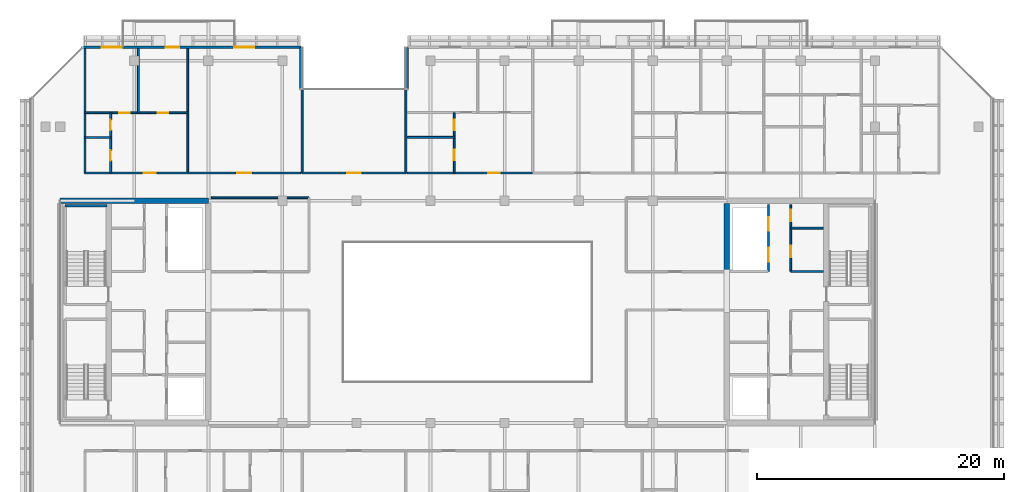
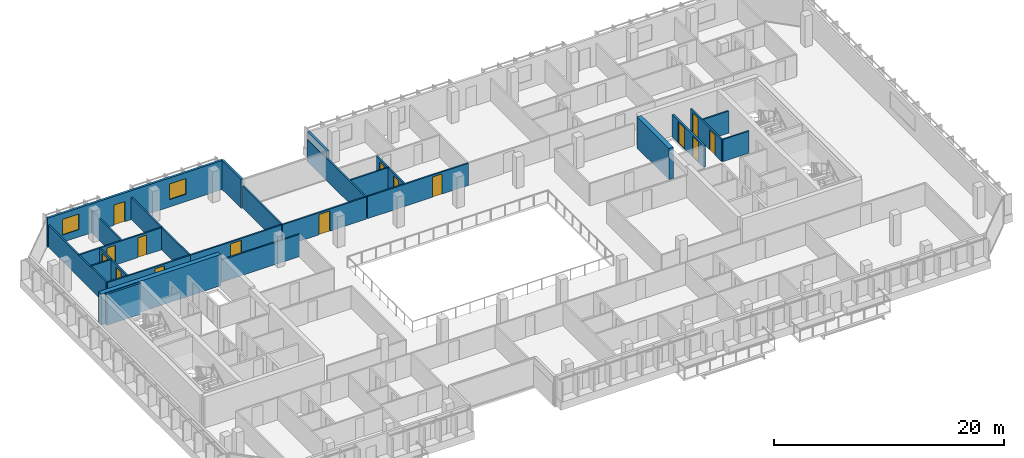
# One storey, part 17 of 25: 25 walls, 15 doors, 2 windows, 17 openings.
"""IFC4 building model written with IfcOpenShell, lengths in metres."""

from ifc_helpers import new_model, si_unit, direction, frame, frame_2d, origin, place, context, subcontext, project, spatial, rectangle, extrude, material, layer, layer_set, type_object, element, fill, save


model = new_model("IFC4")

# Units and contexts
model_context = context("Model", 3, precision=1e-05, world=origin(), true_north=direction((0.0, 1.0)))
body_context = subcontext(model_context, "Body", "Model", "MODEL_VIEW")
ifc_project = project(units=[si_unit("LENGTHUNIT", "METRE"), si_unit("AREAUNIT", "SQUARE_METRE"), si_unit("VOLUMEUNIT", "CUBIC_METRE"), si_unit("PLANEANGLEUNIT", "RADIAN"), si_unit("MASSUNIT", "GRAM", prefix="KILO")], contexts=[model_context])

# Site, building, storey
site_placement = place(None, origin())
site = spatial("IfcSite", under=ifc_project, at=site_placement, CompositionType="ELEMENT")
building_placement = place(site_placement, origin())
building = spatial("IfcBuilding", under=site, at=building_placement, Name="Tanjung Sevakor Pilgrim Tower", CompositionType="ELEMENT")
storey_placement = place(building_placement, frame((0.0, 0.0, 204.929931640625)))
storey = spatial("IfcBuildingStorey", under=building, at=storey_placement, Name="L57", CompositionType="ELEMENT", Elevation=204.929931640625)

# Walls
ifc_material_1 = material(Name="Concrete C60/75", Category="concrete")
ifc_layer_1 = layer(ifc_material_1, 0.449951171875)
ifc_layer_set_1 = layer_set([ifc_layer_1], Name="WALL-CW-450")
wall_type_1 = type_object("IfcWallType", Name="WALL-CW-450", PredefinedType="SHEAR", material=ifc_layer_set_1)
wall_1_placement = place(storey_placement, frame((36.0, 42.60009765625, 0.0), z_axis=(0.0, 0.0, 1.0), x_axis=(-1.0, 0.0, 0.0)))
element("IfcWall", 1, at=wall_1_placement, inside=storey, type_object=wall_type_1, Name="L57 W Core North Shear Wall", PredefinedType="SHEAR", context=body_context, shape_type="SweptSolid", body=[
    extrude(rectangle(XDim=12.0, YDim=0.449951171875, at=frame_2d((6.0, 0.0))), origin(), (0.0, 0.0, 1.0), 3.300048828125),
])
wall_2_placement = place(storey_placement, frame((78.0, 36.800048828125, 0.0), z_axis=(0.0, 0.0, 1.0), x_axis=(0.0, 1.0, 0.0)))
element("IfcWall", 2, at=wall_2_placement, inside=storey, type_object=wall_type_1, Name="L57 E Core Inner Shear Wall North", PredefinedType="SHEAR", context=body_context, shape_type="SweptSolid", body=[
    extrude(rectangle(XDim=5.574951171875, YDim=0.449951171875, at=frame_2d((2.78759765625, 0.0))), origin(), (0.0, 0.0, 1.0), 3.300048828125),
])
ifc_material_2 = material(Name="Concrete C40/50", Category="concrete")
ifc_layer_2 = layer(ifc_material_2, 0.14990234375)
ifc_layer_set_2 = layer_set([ifc_layer_2], Name="WT-COMP-150")
wall_type_2 = type_object("IfcWallType", Name="WT-COMP-150", PredefinedType="SOLIDWALL", material=ifc_layer_set_2)
for number, where, z_axis, x_axis, name in (
    (3, (83.199951171875, 36.8798828125, 0.0), (0.0, 0.0, 1.0), (1.0, 0.0, 0.0), "L57 Partition IW-L57-022"),
    (4, (83.199951171875, 40.389892578125, 0.0), (0.0, 0.0, 1.0), (1.0, 0.0, 0.0), "L57 Partition IW-L57-023"),
):
    element("IfcWall", number, at=place(storey_placement, frame(where, z_axis=z_axis, x_axis=x_axis)), inside=storey, type_object=wall_type_2, Name=name, PredefinedType="SOLIDWALL", context=body_context, shape_type="SweptSolid", body=[
        extrude(rectangle(XDim=2.630126953125, YDim=0.14990234375, at=frame_2d((1.31494140625, 0.0))), origin(), (0.0, 0.0, 1.0), 2.35009765625),
    ])

# Wall, openings, doors
wall_3_placement = place(storey_placement, frame((83.179931640625, 36.8798828125, 0.0), z_axis=(0.0, 0.0, 1.0), x_axis=(0.0, 1.0, 0.0)))
wall_3 = element("IfcWall", 5, at=wall_3_placement, inside=storey, type_object=wall_type_2, Name="L57 Partition IW-L57-024", PredefinedType="SOLIDWALL", context=body_context, shape_type="SweptSolid", body=[
    extrude(rectangle(XDim=5.420166015625, YDim=0.14990234375, at=frame_2d((2.7099609375, 0.0))), origin(), (0.0, 0.0, 1.0), 2.35009765625),
])
opening_1_placement = place(wall_3_placement, frame((1.14990234375, 0.0, 0.0)))
opening_1 = element("IfcOpeningElement", 6, at=opening_1_placement, cuts=wall_3, Name="Opening ID-FD2", PredefinedType="OPENING", context=body_context, shape_type="SweptSolid", body=[
    extrude(rectangle(XDim=0.949951171875, YDim=2.14990234375, at=frame_2d((0.47509765625, 1.074951171875))), frame((0.0, 0.0849609375, 0.0), z_axis=(0.0, -1.0, 0.0), x_axis=(1.0, 0.0, 0.0)), (0.0, 0.0, 1.0), 0.169921875),
])
opening_2_placement = place(wall_3_placement, frame((4.050048828125, 0.0, 0.0)))
opening_2 = element("IfcOpeningElement", 7, at=opening_2_placement, cuts=wall_3, Name="Opening ID-FD2", PredefinedType="OPENING", context=body_context, shape_type="SweptSolid", body=[
    extrude(rectangle(XDim=0.949951171875, YDim=2.14990234375, at=frame_2d((0.47509765625, 1.074951171875))), frame((0.0, 0.0849609375, 0.0), z_axis=(0.0, -1.0, 0.0), x_axis=(1.0, 0.0, 0.0)), (0.0, 0.0, 1.0), 0.169921875),
])
ifc_material_3 = material(Name="Fire-Rated Timber", Category="wood")
door_type_1 = type_object("IfcDoorType", Name="DT-FIRE-950", OperationType="NOTDEFINED", PredefinedType="DOOR", material=ifc_material_3)
door_1_placement = place(opening_1_placement, origin())
door_1 = element("IfcDoor", 8, at=door_1_placement, inside=storey, type_object=door_type_1, Name="L57 Core Study Room Door", OperationType="SINGLE_SWING_RIGHT", OverallHeight=2.14990234375, OverallWidth=0.949951171875, PredefinedType="DOOR", context=body_context, shape_type="SweptSolid", body=[
    extrude(rectangle(XDim=0.949951171875, YDim=2.14990234375, at=frame_2d((0.47509765625, 1.074951171875))), frame((0.0, 0.02490234375, 0.0), z_axis=(0.0, -1.0, 0.0), x_axis=(1.0, 0.0, 0.0)), (0.0, 0.0, 1.0), 0.050048828125),
])
fill(opening_1, door_1)
door_2_placement = place(opening_2_placement, origin())
door_2 = element("IfcDoor", 9, at=door_2_placement, inside=storey, type_object=door_type_1, Name="L57 Service Store Door", OperationType="SINGLE_SWING_LEFT", OverallHeight=2.14990234375, OverallWidth=0.949951171875, PredefinedType="DOOR", context=body_context, shape_type="SweptSolid", body=[
    extrude(rectangle(XDim=0.949951171875, YDim=2.14990234375, at=frame_2d((0.47509765625, 1.074951171875))), frame((0.0, 0.02490234375, 0.0), z_axis=(0.0, -1.0, 0.0), x_axis=(1.0, 0.0, 0.0)), (0.0, 0.0, 1.0), 0.050048828125),
])
fill(opening_2, door_2)

# Wall
wall_4_placement = place(storey_placement, frame((36.2451171875, 42.85009765625, 0.0), z_axis=(0.0, 0.0, 1.0), x_axis=(1.0, 0.0, 0.0)))
element("IfcWall", 10, at=wall_4_placement, inside=storey, type_object=wall_type_2, Name="L57 Partition IW-L57-031", PredefinedType="SOLIDWALL", context=body_context, shape_type="SweptSolid", body=[
    extrude(rectangle(XDim=7.90478515625, YDim=0.14990234375, at=frame_2d((3.952392578125, 0.0))), origin(), (0.0, 0.0, 1.0), 2.35009765625),
])

# Wall, opening, door
wall_5_placement = place(storey_placement, frame((43.60009765625, 44.85009765625, 0.0), z_axis=(0.0, 0.0, 1.0), x_axis=(1.0, 0.0, 0.0)))
wall_5 = element("IfcWall", 11, at=wall_5_placement, inside=storey, type_object=wall_type_2, Name="L57 Partition IW-L57-042", PredefinedType="SOLIDWALL", context=body_context, shape_type="SweptSolid", body=[
    extrude(rectangle(XDim=8.39990234375, YDim=0.14990234375, at=frame_2d((4.199951171875, 0.0))), origin(), (0.0, 0.0, 1.0), 2.35009765625),
])
opening_3_placement = place(wall_5_placement, frame((3.64990234375, 0.0, 0.0)))
opening_3 = element("IfcOpeningElement", 12, at=opening_3_placement, cuts=wall_5, Name="Opening ID-RM2", PredefinedType="OPENING", context=body_context, shape_type="SweptSolid", body=[
    extrude(rectangle(XDim=1.10009765625, YDim=2.14990234375, at=frame_2d((0.550048828125, 1.074951171875))), frame((0.0, 0.0849609375, 0.0), z_axis=(0.0, -1.0, 0.0), x_axis=(1.0, 0.0, 0.0)), (0.0, 0.0, 1.0), 0.169921875),
])
ifc_material_4 = material(Name="Hardwood Timber", Category="wood")
door_type_2 = type_object("IfcDoorType", Name="DT-INT-1100", OperationType="NOTDEFINED", PredefinedType="DOOR", material=ifc_material_4)
door_3_placement = place(opening_3_placement, origin())
door_3 = element("IfcDoor", 13, at=door_3_placement, inside=storey, type_object=door_type_2, Name="L57 North Cleft Reading Room Door", OperationType="SINGLE_SWING_LEFT", OverallHeight=2.14990234375, OverallWidth=1.10009765625, PredefinedType="DOOR", context=body_context, shape_type="SweptSolid", body=[
    extrude(rectangle(XDim=1.10009765625, YDim=2.14990234375, at=frame_2d((0.550048828125, 1.074951171875))), frame((0.0, 0.02490234375, 0.0), z_axis=(0.0, -1.0, 0.0), x_axis=(1.0, 0.0, 0.0)), (0.0, 0.0, 1.0), 0.050048828125),
])
fill(opening_3, door_3)

# Walls
for number, where, z_axis, x_axis, name in (
    (14, (43.60009765625, 44.85009765625, 0.0), (0.0, 0.0, 1.0), (0.0, 1.0, 0.0), "L57 Partition IW-L57-043"),
    (15, (52.0, 44.85009765625, 0.0), (0.0, 0.0, 1.0), (0.0, 1.0, 0.0), "L57 Partition IW-L57-044"),
    (16, (26.0, 44.85009765625, 0.0), (0.0, 0.0, 1.0), (0.0, 1.0, 0.0), "L57 Partition IW-L57-073"),
    (17, (34.33251953125, 44.85009765625, 0.0), (0.0, 0.0, 1.0), (0.0, 1.0, 0.0), "L57 Partition IW-L57-074"),
):
    element("IfcWall", number, at=place(storey_placement, frame(where, z_axis=z_axis, x_axis=x_axis)), inside=storey, type_object=wall_type_2, Name=name, PredefinedType="SOLIDWALL", context=body_context, shape_type="SweptSolid", body=[
        extrude(rectangle(XDim=10.079833984375, YDim=0.14990234375, at=frame_2d((5.0400390625, 0.0))), origin(), (0.0, 0.0, 1.0), 2.35009765625),
    ])

# Wall, opening, door
wall_6_placement = place(storey_placement, frame((26.0, 44.85009765625, 0.0), z_axis=(0.0, 0.0, 1.0), x_axis=(1.0, 0.0, 0.0)))
wall_6 = element("IfcWall", 18, at=wall_6_placement, inside=storey, type_object=wall_type_2, Name="L57 Partition IW-L57-079", PredefinedType="SOLIDWALL", context=body_context, shape_type="SweptSolid", body=[
    extrude(rectangle(XDim=8.33251953125, YDim=0.14990234375, at=frame_2d((4.166259765625, 0.0))), origin(), (0.0, 0.0, 1.0), 2.35009765625),
])
opening_4_placement = place(wall_6_placement, frame((4.771240234375, 0.0, 0.0)))
opening_4 = element("IfcOpeningElement", 19, at=opening_4_placement, cuts=wall_6, Name="Opening ID-FD2", PredefinedType="OPENING", context=body_context, shape_type="SweptSolid", body=[
    extrude(rectangle(XDim=0.949951171875, YDim=2.14990234375, at=frame_2d((0.47509765625, 1.074951171875))), frame((0.0, 0.0849609375, 0.0), z_axis=(0.0, -1.0, 0.0), x_axis=(1.0, 0.0, 0.0)), (0.0, 0.0, 1.0), 0.169921875),
])
door_4_placement = place(opening_4_placement, origin())
door_4 = element("IfcDoor", 20, at=door_4_placement, inside=storey, type_object=door_type_1, Name="Suite Entrance", OperationType="SINGLE_SWING_LEFT", OverallHeight=2.14990234375, OverallWidth=0.949951171875, PredefinedType="DOOR", context=body_context, shape_type="SweptSolid", body=[
    extrude(rectangle(XDim=0.949951171875, YDim=2.14990234375, at=frame_2d((0.47509765625, 1.074951171875))), frame((0.0, 0.02490234375, 0.0), z_axis=(0.0, -1.0, 0.0), x_axis=(1.0, 0.0, 0.0)), (0.0, 0.0, 1.0), 0.050048828125),
])
fill(opening_4, door_4)

wall_7_placement = place(storey_placement, frame((34.33251953125, 44.85009765625, 0.0), z_axis=(0.0, 0.0, 1.0), x_axis=(1.0, 0.0, 0.0)))
wall_7 = element("IfcWall", 21, at=wall_7_placement, inside=storey, type_object=wall_type_2, Name="L57 Partition IW-L57-080", PredefinedType="SOLIDWALL", context=body_context, shape_type="SweptSolid", body=[
    extrude(rectangle(XDim=9.1474609375, YDim=0.14990234375, at=frame_2d((4.57373046875, 0.0))), origin(), (0.0, 0.0, 1.0), 2.35009765625),
])
opening_5_placement = place(wall_7_placement, frame((4.023681640625, 0.0, 0.0)))
opening_5 = element("IfcOpeningElement", 22, at=opening_5_placement, cuts=wall_7, Name="Opening ID-FD0", PredefinedType="OPENING", context=body_context, shape_type="SweptSolid", body=[
    extrude(rectangle(XDim=1.10009765625, YDim=2.14990234375, at=frame_2d((0.550048828125, 1.074951171875))), frame((0.0, 0.0849609375, 0.0), z_axis=(0.0, -1.0, 0.0), x_axis=(1.0, 0.0, 0.0)), (0.0, 0.0, 1.0), 0.169921875),
])
ifc_material_5 = material(Name="Fire-Rated Steel S355J2", Category="steel")
door_type_3 = type_object("IfcDoorType", Name="DT-FIRE-1100", OperationType="NOTDEFINED", PredefinedType="DOOR", material=ifc_material_5)
door_5_placement = place(opening_5_placement, origin())
door_5 = element("IfcDoor", 23, at=door_5_placement, inside=storey, type_object=door_type_3, Name="Seminar Room Door", OperationType="SINGLE_SWING_RIGHT", OverallHeight=2.14990234375, OverallWidth=1.10009765625, PredefinedType="DOOR", context=body_context, shape_type="SweptSolid", body=[
    extrude(rectangle(XDim=1.10009765625, YDim=2.14990234375, at=frame_2d((0.550048828125, 1.074951171875))), frame((0.0, 0.02490234375, 0.0), z_axis=(0.0, -1.0, 0.0), x_axis=(1.0, 0.0, 0.0)), (0.0, 0.0, 1.0), 0.050048828125),
])
fill(opening_5, door_5)

wall_8_placement = place(storey_placement, frame((52.1201171875, 44.85009765625, 0.0), z_axis=(0.0, 0.0, 1.0), x_axis=(1.0, 0.0, 0.0)))
wall_8 = element("IfcWall", 24, at=wall_8_placement, inside=storey, type_object=wall_type_2, Name="L57 Partition IW-L57-087", PredefinedType="SOLIDWALL", context=body_context, shape_type="SweptSolid", body=[
    extrude(rectangle(XDim=10.149658203125, YDim=0.14990234375, at=frame_2d((5.07470703125, 0.0))), origin(), (0.0, 0.0, 1.0), 2.35009765625),
])
opening_6_placement = place(wall_8_placement, frame((6.539794921875, 0.0, 0.0)))
opening_6 = element("IfcOpeningElement", 25, at=opening_6_placement, cuts=wall_8, Name="Opening ID-FD2", PredefinedType="OPENING", context=body_context, shape_type="SweptSolid", body=[
    extrude(rectangle(XDim=0.949951171875, YDim=2.14990234375, at=frame_2d((0.47509765625, 1.074951171875))), frame((0.0, 0.0849609375, 0.0), z_axis=(0.0, -1.0, 0.0), x_axis=(1.0, 0.0, 0.0)), (0.0, 0.0, 1.0), 0.169921875),
])
door_6_placement = place(opening_6_placement, origin())
door_6 = element("IfcDoor", 26, at=door_6_placement, inside=storey, type_object=door_type_1, Name="Suite Entrance", OperationType="SINGLE_SWING_LEFT", OverallHeight=2.14990234375, OverallWidth=0.949951171875, PredefinedType="DOOR", context=body_context, shape_type="SweptSolid", body=[
    extrude(rectangle(XDim=0.949951171875, YDim=2.14990234375, at=frame_2d((0.47509765625, 1.074951171875))), frame((0.0, 0.02490234375, 0.0), z_axis=(0.0, -1.0, 0.0), x_axis=(1.0, 0.0, 0.0)), (0.0, 0.0, 1.0), 0.050048828125),
])
fill(opening_6, door_6)

# Walls
ifc_material_6 = material(Name="Precast concrete C45/55", Category="concrete")
ifc_layer_3 = layer(ifc_material_6, 0.219970703125)
ifc_layer_set_3 = layer_set([ifc_layer_3], Name="WT-EW-STN4")
wall_type_3 = type_object("IfcWallType", Name="WT-EW-STN4", PredefinedType="SOLIDWALL", material=ifc_layer_set_3)
for number, where, z_axis, x_axis, name in (
    (27, (52.110107421875, 55.0400390625, 0.0), (0.0, 0.0, 1.0), (0.0, -1.0, 0.0), "L57 MAIN Exterior Wall 10"),
    (28, (43.489990234375, 51.639892578125, 0.0), (0.0, 0.0, 1.0), (0.0, 1.0, 0.0), "L57 MAIN Exterior Wall 12"),
):
    element("IfcWall", number, at=place(storey_placement, frame(where, z_axis=z_axis, x_axis=x_axis)), inside=storey, type_object=wall_type_3, Name=name, PredefinedType="SOLIDWALL", context=body_context, shape_type="SweptSolid", body=[
        extrude(rectangle(XDim=3.400146484375, YDim=0.219970703125, at=frame_2d((1.7001953125, 0.0))), origin(), (0.0, 0.0, 1.0), 3.080078125),
    ])

# Wall, openings, door, windows
wall_9_placement = place(storey_placement, frame((43.489990234375, 55.0400390625, 0.0), z_axis=(0.0, 0.0, 1.0), x_axis=(-1.0, 0.0, 0.0)))
wall_9 = element("IfcWall", 29, at=wall_9_placement, inside=storey, type_object=wall_type_3, Name="L57 MAIN Exterior Wall 13", PredefinedType="SOLIDWALL", context=body_context, shape_type="SweptSolid", body=[
    extrude(rectangle(XDim=17.644287109375, YDim=0.219970703125, at=frame_2d((8.822265625, 0.0))), origin(), (0.0, 0.0, 1.0), 3.080078125),
])
opening_7_placement = place(wall_9_placement, frame((9.840087890625, 0.0, 0.0)))
opening_7 = element("IfcOpeningElement", 30, at=opening_7_placement, cuts=wall_9, Name="Opening ED-BAL-1100", PredefinedType="OPENING", context=body_context, shape_type="SweptSolid", body=[
    extrude(rectangle(XDim=1.10009765625, YDim=2.14990234375, at=frame_2d((0.550048828125, 1.074951171875))), frame((0.0, 0.119873046875, 0.0), z_axis=(0.0, -1.0, 0.0), x_axis=(1.0, 0.0, 0.0)), (0.0, 0.0, 1.0), 0.239990234375),
])
opening_8_placement = place(wall_9_placement, frame((14.488525390625, 0.0, 0.780029296875)))
opening_8 = element("IfcOpeningElement", 31, at=opening_8_placement, cuts=wall_9, Name="Opening WN-Z4-1660", PredefinedType="OPENING", context=body_context, shape_type="SweptSolid", body=[
    extrude(rectangle(XDim=1.64990234375, YDim=1.659912109375, at=frame_2d((0.824951171875, 0.830078125))), frame((0.0, 0.119873046875, 0.0), z_axis=(0.0, -1.0, 0.0), x_axis=(1.0, 0.0, 0.0)), (0.0, 0.0, 1.0), 0.239990234375),
])
opening_9_placement = place(wall_9_placement, frame((3.7587890625, 0.0, 0.780029296875)))
opening_9 = element("IfcOpeningElement", 32, at=opening_9_placement, cuts=wall_9, Name="Opening WN-Z4-1660", PredefinedType="OPENING", context=body_context, shape_type="SweptSolid", body=[
    extrude(rectangle(XDim=1.64990234375, YDim=1.659912109375, at=frame_2d((0.824951171875, 0.830078125))), frame((0.0, 0.119873046875, 0.0), z_axis=(0.0, -1.0, 0.0), x_axis=(1.0, 0.0, 0.0)), (0.0, 0.0, 1.0), 0.239990234375),
])
ifc_material_7 = material(Name="Anodised Aluminium and Laminated Glass", Category="aluminium")
door_type_4 = type_object("IfcDoorType", Name="DTYP-ED-BAL-1100", OperationType="NOTDEFINED", PredefinedType="DOOR", material=ifc_material_7)
door_7_placement = place(opening_7_placement, frame((1.10009765625, 0.0, 0.0), z_axis=(0.0, 0.0, 1.0), x_axis=(-1.0, 0.0, 0.0)))
door_7 = element("IfcDoor", 33, at=door_7_placement, inside=storey, type_object=door_type_4, Name="L57 Balcony Door MAIN-N1", OperationType="SINGLE_SWING_RIGHT", OverallHeight=2.14990234375, OverallWidth=1.10009765625, PredefinedType="DOOR", context=body_context, shape_type="SweptSolid", body=[
    extrude(rectangle(XDim=1.10009765625, YDim=2.14990234375, at=frame_2d((0.550048828125, 1.074951171875))), frame((0.0, 0.02490234375, 0.0), z_axis=(0.0, -1.0, 0.0), x_axis=(1.0, 0.0, 0.0)), (0.0, 0.0, 1.0), 0.050048828125),
])
fill(opening_7, door_7)
ifc_material_8 = material(Name="Thermally Broken Aluminium and Low-E Glass", Category="aluminium")
window_type = type_object("IfcWindowType", Name="WTYP-WN-Z4-1660", PartitioningType="DOUBLE_PANEL_VERTICAL", PredefinedType="WINDOW", material=ifc_material_8)
window_1_placement = place(opening_8_placement, origin())
window_1 = element("IfcWindow", 34, at=window_1_placement, inside=storey, type_object=window_type, Name="L57 Facade Window 01", OverallHeight=1.659912109375, OverallWidth=1.64990234375, PartitioningType="SINGLE_PANEL", PredefinedType="WINDOW", context=body_context, shape_type="SweptSolid", body=[
    extrude(rectangle(XDim=1.64990234375, YDim=1.659912109375, at=frame_2d((0.824951171875, 0.830078125))), frame((0.0, 0.030029296875, 0.0), z_axis=(0.0, -1.0, 0.0), x_axis=(1.0, 0.0, 0.0)), (0.0, 0.0, 1.0), 0.06005859375),
])
fill(opening_8, window_1)
window_2_placement = place(opening_9_placement, origin())
window_2 = element("IfcWindow", 35, at=window_2_placement, inside=storey, type_object=window_type, Name="L57 Facade Window 02", OverallHeight=1.659912109375, OverallWidth=1.64990234375, PartitioningType="SINGLE_PANEL", PredefinedType="WINDOW", context=body_context, shape_type="SweptSolid", body=[
    extrude(rectangle(XDim=1.64990234375, YDim=1.659912109375, at=frame_2d((0.824951171875, 0.830078125))), frame((0.0, 0.030029296875, 0.0), z_axis=(0.0, -1.0, 0.0), x_axis=(1.0, 0.0, 0.0)), (0.0, 0.0, 1.0), 0.06005859375),
])
fill(opening_9, window_2)

# Wall
ifc_material_9 = material(Name="Concrete C40/50", Category="concrete")
ifc_layer_4 = layer(ifc_material_9, 0.199951171875)
ifc_layer_set_4 = layer_set([ifc_layer_4], Name="WT-FIRE-200")
wall_type_4 = type_object("IfcWallType", Name="WT-FIRE-200", PredefinedType="SOLIDWALL", material=ifc_layer_set_4)
wall_10_placement = place(storey_placement, frame((27.800048828125, 42.199951171875, 0.0), z_axis=(0.0, 0.0, 1.0), x_axis=(-1.0, 0.0, 0.0)))
element("IfcWall", 36, at=wall_10_placement, inside=storey, type_object=wall_type_4, Name="L57 TS-W2 Shaft Wall 2", PredefinedType="SOLIDWALL", context=body_context, shape_type="SweptSolid", body=[
    extrude(rectangle(XDim=3.400146484375, YDim=0.199951171875, at=frame_2d((1.7001953125, 0.0))), origin(), (0.0, 0.0, 1.0), 3.300048828125),
])

# Wall, openings, doors
ifc_material_10 = material(Name="Concrete C40/50", Category="concrete")
ifc_layer_5 = layer(ifc_material_10, 0.199951171875)
ifc_layer_set_5 = layer_set([ifc_layer_5], Name="WT-FPRT-200")
wall_type_5 = type_object("IfcWallType", Name="WT-FPRT-200", PredefinedType="SOLIDWALL", material=ifc_layer_set_5)
wall_11_placement = place(storey_placement, frame((81.3798828125, 36.8798828125, 0.0), z_axis=(0.0, 0.0, 1.0), x_axis=(0.0, 1.0, 0.0)))
wall_11 = element("IfcWall", 37, at=wall_11_placement, inside=storey, type_object=wall_type_5, Name="L57 Partition IW-L57-026", PredefinedType="SOLIDWALL", context=body_context, shape_type="SweptSolid", body=[
    extrude(rectangle(XDim=5.420166015625, YDim=0.199951171875, at=frame_2d((2.7099609375, 0.0))), origin(), (0.0, 0.0, 1.0), 2.35009765625),
])
opening_10_placement = place(wall_11_placement, frame((0.800048828125, 0.0, 0.0)))
opening_10 = element("IfcOpeningElement", 38, at=opening_10_placement, cuts=wall_11, Name="Opening LD-1100", PredefinedType="OPENING", context=body_context, shape_type="SweptSolid", body=[
    extrude(rectangle(XDim=1.10009765625, YDim=2.199951171875, at=frame_2d((0.550048828125, 1.10009765625))), frame((0.0, 0.10986328125, 0.0), z_axis=(0.0, -1.0, 0.0), x_axis=(1.0, 0.0, 0.0)), (0.0, 0.0, 1.0), 0.219970703125),
])
opening_11_placement = place(wall_11_placement, frame((3.300048828125, 0.0, 0.0)))
opening_11 = element("IfcOpeningElement", 39, at=opening_11_placement, cuts=wall_11, Name="Opening LD-1100", PredefinedType="OPENING", context=body_context, shape_type="SweptSolid", body=[
    extrude(rectangle(XDim=1.10009765625, YDim=2.199951171875, at=frame_2d((0.550048828125, 1.10009765625))), frame((0.0, 0.10986328125, 0.0), z_axis=(0.0, -1.0, 0.0), x_axis=(1.0, 0.0, 0.0)), (0.0, 0.0, 1.0), 0.219970703125),
])
ifc_material_11 = material(Name="Brushed Stainless Steel S355J2", Category="steel")
door_type_5 = type_object("IfcDoorType", Name="DT-LIFT-1100", OperationType="SLIDING_TO_LEFT", PredefinedType="DOOR", material=ifc_material_11)
door_8_placement = place(opening_10_placement, origin())
door_8 = element("IfcDoor", 40, at=door_8_placement, inside=storey, type_object=door_type_5, Name="LD-PLH1-E", OperationType="SLIDING_TO_LEFT", OverallHeight=2.199951171875, OverallWidth=1.10009765625, PredefinedType="DOOR", context=body_context, shape_type="SweptSolid", body=[
    extrude(rectangle(XDim=1.10009765625, YDim=2.199951171875, at=frame_2d((0.550048828125, 1.10009765625))), frame((0.0, 0.02490234375, 0.0), z_axis=(0.0, -1.0, 0.0), x_axis=(1.0, 0.0, 0.0)), (0.0, 0.0, 1.0), 0.050048828125),
])
fill(opening_10, door_8)
door_9_placement = place(opening_11_placement, origin())
door_9 = element("IfcDoor", 41, at=door_9_placement, inside=storey, type_object=door_type_5, Name="LD-PLH2-E", OperationType="SLIDING_TO_RIGHT", OverallHeight=2.199951171875, OverallWidth=1.10009765625, PredefinedType="DOOR", context=body_context, shape_type="SweptSolid", body=[
    extrude(rectangle(XDim=1.10009765625, YDim=2.199951171875, at=frame_2d((0.550048828125, 1.10009765625))), frame((0.0, 0.02490234375, 0.0), z_axis=(0.0, -1.0, 0.0), x_axis=(1.0, 0.0, 0.0)), (0.0, 0.0, 1.0), 0.050048828125),
])
fill(opening_11, door_9)

# Wall
ifc_material_12 = material(Name="Gypsum Board Partition", Category="gypsum board")
ifc_layer_6 = layer(ifc_material_12, 0.14990234375)
ifc_layer_set_6 = layer_set([ifc_layer_6], Name="WT-PART-150")
wall_type_6 = type_object("IfcWallType", Name="WT-PART-150", PredefinedType="PARTITIONING", material=ifc_layer_set_6)
wall_12_placement = place(storey_placement, frame((26.0, 47.729248046875, 0.0), z_axis=(0.0, 0.0, 1.0), x_axis=(1.0, 0.0, 0.0)))
element("IfcWall", 42, at=wall_12_placement, inside=storey, type_object=wall_type_6, Name="L57 Partition IW-L57-075", PredefinedType="PARTITIONING", context=body_context, shape_type="SweptSolid", body=[
    extrude(rectangle(XDim=2.080078125, YDim=0.14990234375, at=frame_2d((1.0400390625, 0.0))), origin(), (0.0, 0.0, 1.0), 2.35009765625),
])

# Wall, openings, doors
wall_13_placement = place(storey_placement, frame((28.080078125, 44.85009765625, 0.0), z_axis=(0.0, 0.0, 1.0), x_axis=(0.0, 1.0, 0.0)))
wall_13 = element("IfcWall", 43, at=wall_13_placement, inside=storey, type_object=wall_type_6, Name="L57 Partition IW-L57-076", PredefinedType="PARTITIONING", context=body_context, shape_type="SweptSolid", body=[
    extrude(rectangle(XDim=4.8798828125, YDim=0.14990234375, at=frame_2d((2.43994140625, 0.0))), origin(), (0.0, 0.0, 1.0), 2.35009765625),
])
opening_12_placement = place(wall_13_placement, frame((1.0146484375, 0.0, 0.0)))
opening_12 = element("IfcOpeningElement", 44, at=opening_12_placement, cuts=wall_13, Name="Opening ID-WC1", PredefinedType="OPENING", context=body_context, shape_type="SweptSolid", body=[
    extrude(rectangle(XDim=0.85009765625, YDim=2.10009765625, at=frame_2d((0.425048828125, 1.050048828125))), frame((0.0, 0.0849609375, 0.0), z_axis=(0.0, -1.0, 0.0), x_axis=(1.0, 0.0, 0.0)), (0.0, 0.0, 1.0), 0.169921875),
])
opening_13_placement = place(wall_13_placement, frame((3.45458984375, 0.0, 0.0)))
opening_13 = element("IfcOpeningElement", 45, at=opening_13_placement, cuts=wall_13, Name="Opening ID-WC1", PredefinedType="OPENING", context=body_context, shape_type="SweptSolid", body=[
    extrude(rectangle(XDim=0.85009765625, YDim=2.10009765625, at=frame_2d((0.425048828125, 1.050048828125))), frame((0.0, 0.0849609375, 0.0), z_axis=(0.0, -1.0, 0.0), x_axis=(1.0, 0.0, 0.0)), (0.0, 0.0, 1.0), 0.169921875),
])
ifc_material_13 = material(Name="Moisture-Resistant Timber", Category="wood")
door_type_6 = type_object("IfcDoorType", Name="DT-INT-850", OperationType="NOTDEFINED", PredefinedType="DOOR", material=ifc_material_13)
door_10_placement = place(opening_12_placement, origin())
door_10 = element("IfcDoor", 46, at=door_10_placement, inside=storey, type_object=door_type_6, Name="Suite Kitchenette Door", OperationType="SINGLE_SWING_LEFT", OverallHeight=2.10009765625, OverallWidth=0.85009765625, PredefinedType="DOOR", context=body_context, shape_type="SweptSolid", body=[
    extrude(rectangle(XDim=0.85009765625, YDim=2.10009765625, at=frame_2d((0.425048828125, 1.050048828125))), frame((0.0, 0.02490234375, 0.0), z_axis=(0.0, -1.0, 0.0), x_axis=(1.0, 0.0, 0.0)), (0.0, 0.0, 1.0), 0.050048828125),
])
fill(opening_12, door_10)
door_11_placement = place(opening_13_placement, origin())
door_11 = element("IfcDoor", 47, at=door_11_placement, inside=storey, type_object=door_type_6, Name="Suite Bathroom Door", OperationType="SINGLE_SWING_RIGHT", OverallHeight=2.10009765625, OverallWidth=0.85009765625, PredefinedType="DOOR", context=body_context, shape_type="SweptSolid", body=[
    extrude(rectangle(XDim=0.85009765625, YDim=2.10009765625, at=frame_2d((0.425048828125, 1.050048828125))), frame((0.0, 0.02490234375, 0.0), z_axis=(0.0, -1.0, 0.0), x_axis=(1.0, 0.0, 0.0)), (0.0, 0.0, 1.0), 0.050048828125),
])
fill(opening_13, door_11)

# Wall
wall_14_placement = place(storey_placement, frame((30.332763671875, 49.72998046875, 0.0), z_axis=(0.0, 0.0, 1.0), x_axis=(0.0, 1.0, 0.0)))
element("IfcWall", 48, at=wall_14_placement, inside=storey, type_object=wall_type_6, Name="L57 Partition IW-L57-077", PredefinedType="PARTITIONING", context=body_context, shape_type="SweptSolid", body=[
    extrude(rectangle(XDim=5.199951171875, YDim=0.14990234375, at=frame_2d((2.60009765625, 0.0))), origin(), (0.0, 0.0, 1.0), 2.35009765625),
])

# Wall, openings, doors
wall_15_placement = place(storey_placement, frame((26.0, 49.72998046875, 0.0), z_axis=(0.0, 0.0, 1.0), x_axis=(1.0, 0.0, 0.0)))
wall_15 = element("IfcWall", 49, at=wall_15_placement, inside=storey, type_object=wall_type_6, Name="L57 Partition IW-L57-078", PredefinedType="PARTITIONING", context=body_context, shape_type="SweptSolid", body=[
    extrude(rectangle(XDim=8.33251953125, YDim=0.14990234375, at=frame_2d((4.166259765625, 0.0))), origin(), (0.0, 0.0, 1.0), 2.35009765625),
])
opening_14_placement = place(wall_15_placement, frame((2.781494140625, 0.0, 0.0)))
opening_14 = element("IfcOpeningElement", 50, at=opening_14_placement, cuts=wall_15, Name="Opening ID-WC1", PredefinedType="OPENING", context=body_context, shape_type="SweptSolid", body=[
    extrude(rectangle(XDim=0.85009765625, YDim=2.10009765625, at=frame_2d((0.425048828125, 1.050048828125))), frame((0.0, 0.0849609375, 0.0), z_axis=(0.0, -1.0, 0.0), x_axis=(1.0, 0.0, 0.0)), (0.0, 0.0, 1.0), 0.169921875),
])
opening_15_placement = place(wall_15_placement, frame((5.90771484375, 0.0, 0.0)))
opening_15 = element("IfcOpeningElement", 51, at=opening_15_placement, cuts=wall_15, Name="Opening ID-WC1", PredefinedType="OPENING", context=body_context, shape_type="SweptSolid", body=[
    extrude(rectangle(XDim=0.85009765625, YDim=2.10009765625, at=frame_2d((0.425048828125, 1.050048828125))), frame((0.0, 0.0849609375, 0.0), z_axis=(0.0, -1.0, 0.0), x_axis=(1.0, 0.0, 0.0)), (0.0, 0.0, 1.0), 0.169921875),
])
door_12_placement = place(opening_14_placement, origin())
door_12 = element("IfcDoor", 52, at=door_12_placement, inside=storey, type_object=door_type_6, Name="Suite Bedroom 1 Door", OperationType="SINGLE_SWING_LEFT", OverallHeight=2.10009765625, OverallWidth=0.85009765625, PredefinedType="DOOR", context=body_context, shape_type="SweptSolid", body=[
    extrude(rectangle(XDim=0.85009765625, YDim=2.10009765625, at=frame_2d((0.425048828125, 1.050048828125))), frame((0.0, 0.02490234375, 0.0), z_axis=(0.0, -1.0, 0.0), x_axis=(1.0, 0.0, 0.0)), (0.0, 0.0, 1.0), 0.050048828125),
])
fill(opening_14, door_12)
door_13_placement = place(opening_15_placement, origin())
door_13 = element("IfcDoor", 53, at=door_13_placement, inside=storey, type_object=door_type_6, Name="Suite Bedroom 2 Door", OperationType="SINGLE_SWING_RIGHT", OverallHeight=2.10009765625, OverallWidth=0.85009765625, PredefinedType="DOOR", context=body_context, shape_type="SweptSolid", body=[
    extrude(rectangle(XDim=0.85009765625, YDim=2.10009765625, at=frame_2d((0.425048828125, 1.050048828125))), frame((0.0, 0.02490234375, 0.0), z_axis=(0.0, -1.0, 0.0), x_axis=(1.0, 0.0, 0.0)), (0.0, 0.0, 1.0), 0.050048828125),
])
fill(opening_15, door_13)

# Wall
wall_16_placement = place(storey_placement, frame((52.1201171875, 47.74365234375, 0.0), z_axis=(0.0, 0.0, 1.0), x_axis=(1.0, 0.0, 0.0)))
element("IfcWall", 54, at=wall_16_placement, inside=storey, type_object=wall_type_6, Name="L57 Partition IW-L57-083", PredefinedType="PARTITIONING", context=body_context, shape_type="SweptSolid", body=[
    extrude(rectangle(XDim=3.7998046875, YDim=0.14990234375, at=frame_2d((1.89990234375, 0.0))), origin(), (0.0, 0.0, 1.0), 2.35009765625),
])

# Wall, openings, doors
wall_17_placement = place(storey_placement, frame((55.919921875, 44.85009765625, 0.0), z_axis=(0.0, 0.0, 1.0), x_axis=(0.0, 1.0, 0.0)))
wall_17 = element("IfcWall", 55, at=wall_17_placement, inside=storey, type_object=wall_type_6, Name="L57 Partition IW-L57-084", PredefinedType="PARTITIONING", context=body_context, shape_type="SweptSolid", body=[
    extrude(rectangle(XDim=4.904541015625, YDim=0.14990234375, at=frame_2d((2.4521484375, 0.0))), origin(), (0.0, 0.0, 1.0), 2.35009765625),
])
opening_16_placement = place(wall_17_placement, frame((1.021728515625, 0.0, 0.0)))
opening_16 = element("IfcOpeningElement", 56, at=opening_16_placement, cuts=wall_17, Name="Opening ID-WC1", PredefinedType="OPENING", context=body_context, shape_type="SweptSolid", body=[
    extrude(rectangle(XDim=0.85009765625, YDim=2.10009765625, at=frame_2d((0.425048828125, 1.050048828125))), frame((0.0, 0.0849609375, 0.0), z_axis=(0.0, -1.0, 0.0), x_axis=(1.0, 0.0, 0.0)), (0.0, 0.0, 1.0), 0.169921875),
])
opening_17_placement = place(wall_17_placement, frame((3.47412109375, 0.0, 0.0)))
opening_17 = element("IfcOpeningElement", 57, at=opening_17_placement, cuts=wall_17, Name="Opening ID-WC1", PredefinedType="OPENING", context=body_context, shape_type="SweptSolid", body=[
    extrude(rectangle(XDim=0.85009765625, YDim=2.10009765625, at=frame_2d((0.425048828125, 1.050048828125))), frame((0.0, 0.0849609375, 0.0), z_axis=(0.0, -1.0, 0.0), x_axis=(1.0, 0.0, 0.0)), (0.0, 0.0, 1.0), 0.169921875),
])
door_14_placement = place(opening_16_placement, origin())
door_14 = element("IfcDoor", 58, at=door_14_placement, inside=storey, type_object=door_type_6, Name="Suite Kitchenette Door", OperationType="SINGLE_SWING_LEFT", OverallHeight=2.10009765625, OverallWidth=0.85009765625, PredefinedType="DOOR", context=body_context, shape_type="SweptSolid", body=[
    extrude(rectangle(XDim=0.85009765625, YDim=2.10009765625, at=frame_2d((0.425048828125, 1.050048828125))), frame((0.0, 0.02490234375, 0.0), z_axis=(0.0, -1.0, 0.0), x_axis=(1.0, 0.0, 0.0)), (0.0, 0.0, 1.0), 0.050048828125),
])
fill(opening_16, door_14)
door_15_placement = place(opening_17_placement, origin())
door_15 = element("IfcDoor", 59, at=door_15_placement, inside=storey, type_object=door_type_6, Name="Suite Bathroom Door", OperationType="SINGLE_SWING_RIGHT", OverallHeight=2.10009765625, OverallWidth=0.85009765625, PredefinedType="DOOR", context=body_context, shape_type="SweptSolid", body=[
    extrude(rectangle(XDim=0.85009765625, YDim=2.10009765625, at=frame_2d((0.425048828125, 1.050048828125))), frame((0.0, 0.02490234375, 0.0), z_axis=(0.0, -1.0, 0.0), x_axis=(1.0, 0.0, 0.0)), (0.0, 0.0, 1.0), 0.050048828125),
])
fill(opening_17, door_15)

save(model, "model.ifc")
